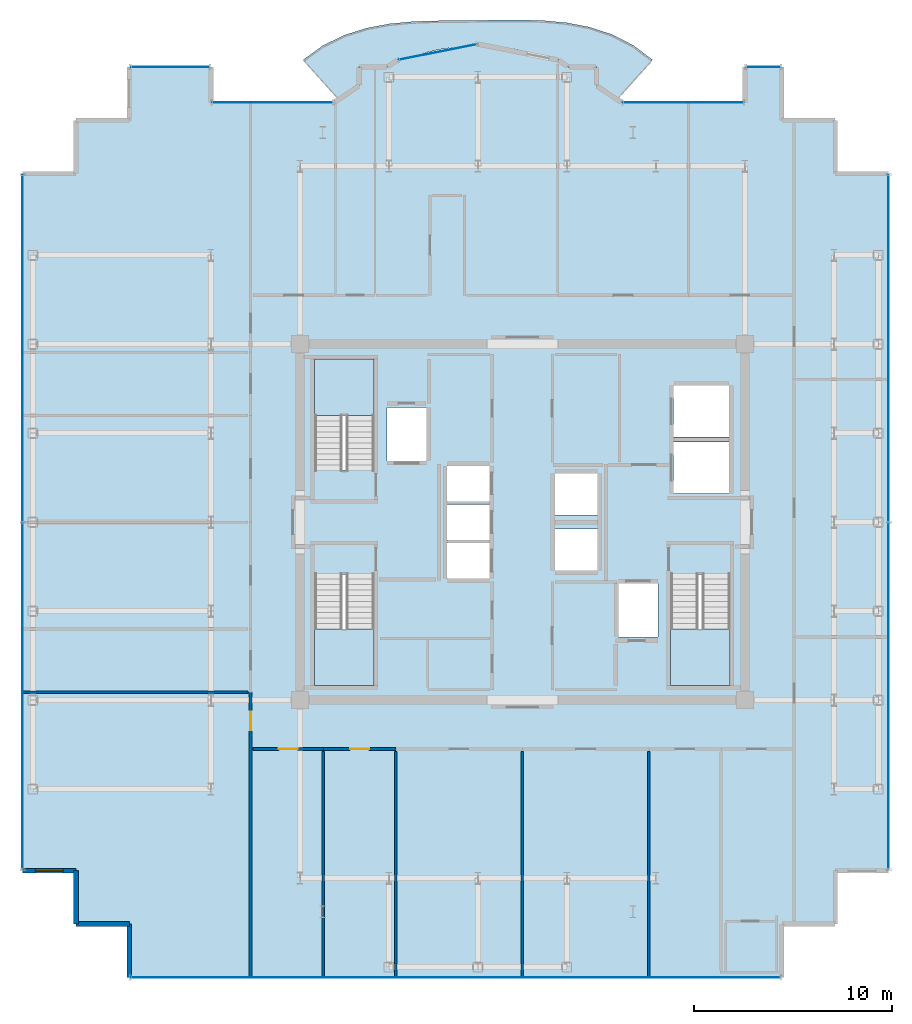
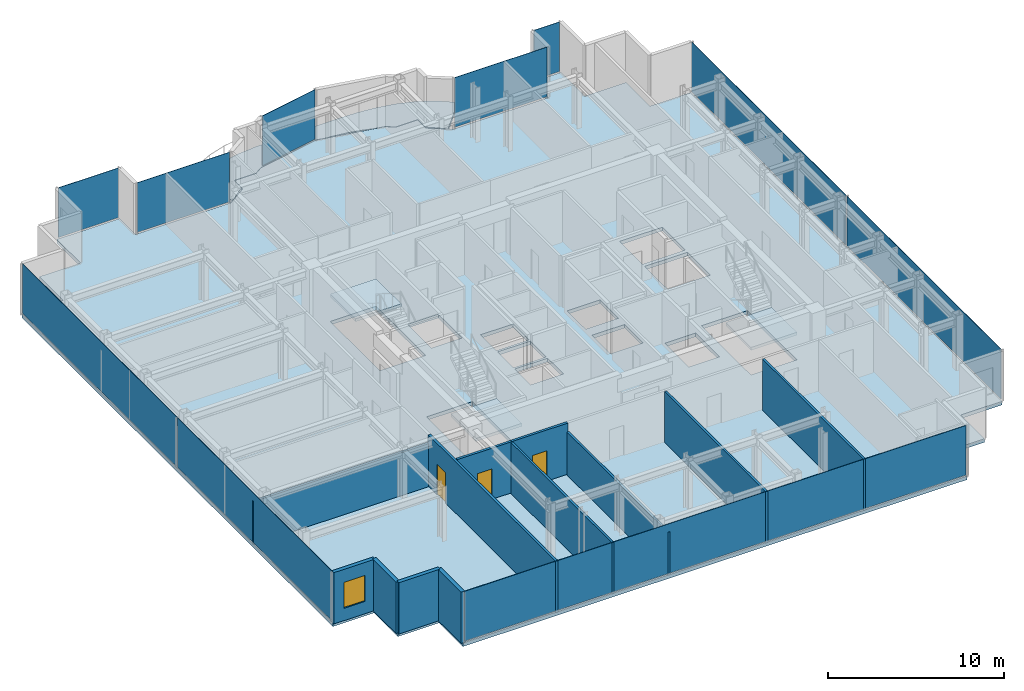
# One storey, part 12 of 18: 12 walls, 10 plates, 5 slabs, 3 doors, 1 window, 4 openings, 11 elements without a shape of their own.
"""IFC4 building model written with IfcOpenShell, lengths in metres."""

from ifc_helpers import new_model, si_unit, direction, frame, frame_2d, origin, origin_2d, place, context, subcontext, project, spatial, polyline, rectangle, outline, extrude, source, transform, mapped, material, layer, layer_set, type_object, element, fill, aggregate, save


model = new_model("IFC4")

# Units and contexts
model_context = context("Model", 3, precision=1e-05, world=origin(), true_north=direction((0.0, 1.0)))
body_context = subcontext(model_context, "Body", "Model", "MODEL_VIEW")
ifc_project = project(units=[si_unit("LENGTHUNIT", "METRE"), si_unit("AREAUNIT", "SQUARE_METRE"), si_unit("VOLUMEUNIT", "CUBIC_METRE"), si_unit("PLANEANGLEUNIT", "RADIAN"), si_unit("MASSUNIT", "GRAM", prefix="KILO")], contexts=[model_context])

# Site, building, storey
site_placement = place(None, origin())
site = spatial("IfcSite", under=ifc_project, at=site_placement, CompositionType="ELEMENT")
building_placement = place(site_placement, origin())
building = spatial("IfcBuilding", under=site, at=building_placement, Name="Nefas-Gora Pilgrimage Tower", CompositionType="ELEMENT")
storey_placement = place(building_placement, frame((0.0, 0.0, 306.39990234375)))
storey = spatial("IfcBuildingStorey", under=building, at=storey_placement, Name="L77", CompositionType="ELEMENT", Elevation=306.39990234375)

# Slabs
ifc_material_1 = material(Name="Concrete C40/50", Category="concrete")
ifc_layer_1 = layer(ifc_material_1, 0.22998046875)
ifc_layer_set_1 = layer_set([ifc_layer_1], Name="Concrete C40/50")
slab_type_1 = type_object("IfcSlabType", Name="SLB-BAL-P2", PredefinedType="FLOOR", material=ifc_layer_set_1)
slab_1_placement = place(storey_placement, frame((0.0, 0.0, -0.22998046875)))
element("IfcSlab", 1, at=slab_1_placement, inside=storey, type_object=slab_type_1, Name="L77 Sinusoidal Lobe Balcony Slab N (Phase 2)", PredefinedType="FLOOR", context=body_context, shape_type="SweptSolid", body=[
    extrude(outline(polyline([(-9.28759765625, 21.385986328125), (-9.224609375, 21.427978515625), (-8.538330078125, 21.9912109375), (-8.260009765625, 22.179931640625), (-8.260009765625, 23.02001953125), (-8.260009765625, 23.02099609375), (-8.259765625, 23.02197265625), (-8.259521484375, 23.02294921875), (-8.25927734375, 23.023681640625), (-8.2587890625, 23.024658203125), (-8.25830078125, 23.025634765625), (-8.2578125, 23.0263671875), (-8.257080078125, 23.027099609375), (-8.25634765625, 23.027587890625), (-8.255615234375, 23.0283203125), (-8.254638671875, 23.02880859375), (-8.25390625, 23.029296875), (-8.2529296875, 23.029541015625), (-8.251953125, 23.02978515625), (-8.2509765625, 23.030029296875), (-8.25, 23.030029296875), (-6.8271484375, 23.030029296875), (-6.31298828125, 23.37353515625), (-6.31201171875, 23.3740234375), (-6.311279296875, 23.37451171875), (-6.310302734375, 23.375), (-6.309326171875, 23.375), (-5.63037109375, 23.51025390625), (-5.102783203125, 23.685302734375), (-4.165283203125, 23.904052734375), (-3.211669921875, 24.035888671875), (-2.919921875, 24.04931640625), (-2.251953125, 24.18212890625), (-2.2509765625, 24.182373046875), (-2.25, 24.182373046875), (-2.2490234375, 24.182373046875), (-2.248046875, 24.18212890625), (-1.580078125, 24.04931640625), (-1.288330078125, 24.035888671875), (-0.334716796875, 23.904052734375), (0.602783203125, 23.685302734375), (1.13037109375, 23.51025390625), (1.809326171875, 23.375), (1.810302734375, 23.375), (1.811279296875, 23.37451171875), (1.81201171875, 23.3740234375), (1.81298828125, 23.37353515625), (2.3271484375, 23.030029296875), (3.75, 23.030029296875), (3.7509765625, 23.030029296875), (3.751953125, 23.02978515625), (3.7529296875, 23.029541015625), (3.75390625, 23.029296875), (3.754638671875, 23.02880859375), (3.755615234375, 23.0283203125), (3.75634765625, 23.027587890625), (3.757080078125, 23.027099609375), (3.7578125, 23.0263671875), (3.75830078125, 23.025634765625), (3.7587890625, 23.024658203125), (3.75927734375, 23.023681640625), (3.759521484375, 23.02294921875), (3.759765625, 23.02197265625), (3.760009765625, 23.02099609375), (3.760009765625, 23.02001953125), (3.760009765625, 22.179931640625), (4.038330078125, 21.9912109375), (4.724609375, 21.427978515625), (4.78759765625, 21.385986328125), (6.58251953125, 23.37939453125), (5.61669921875, 24.10498046875), (4.54248046875, 24.654296875), (3.401611328125, 25.0302734375), (2.23486328125, 25.25341796875), (1.074951171875, 25.359130859375), (-0.059326171875, 25.389404296875), (-1.16455078125, 25.3837890625), (-2.25, 25.37060546875), (-3.33349609375, 25.36181640625), (-4.43310546875, 25.349365234375), (-5.560302734375, 25.307861328125), (-6.714111328125, 25.19921875), (-7.87744140625, 24.9814453125), (-9.0205078125, 24.618408203125), (-10.102294921875, 24.085693359375), (-11.080810546875, 23.377685546875), (-9.28759765625, 21.385986328125)])), origin(), (0.0, 0.0, 1.0), 0.22998046875),
])
ifc_layer_2 = layer(ifc_material_1, 0.25)
ifc_layer_set_2 = layer_set([ifc_layer_2], Name="Concrete C40/50")
slab_type_2 = type_object("IfcSlabType", Name="SLB-TWR-260", PredefinedType="FLOOR", material=ifc_layer_set_2)
slab_2_placement = place(storey_placement, frame((0.0, 0.0, -0.25)))
element("IfcSlab", 2, at=slab_2_placement, inside=storey, type_object=slab_type_2, Name="L77 Structural Floor Slab", PredefinedType="FLOOR", context=body_context, shape_type="SweptSolid", body=[
    extrude(outline(polyline([(15.820068359375, -17.6201171875), (18.52001953125, -17.6201171875), (18.52001953125, 17.6201171875), (15.820068359375, 17.6201171875), (15.820068359375, 20.320068359375), (13.1201171875, 20.320068359375), (13.1201171875, 23.02001953125), (11.25, 23.02001953125), (11.25, 21.219970703125), (5.01806640625, 21.219970703125), (3.75, 22.0673828125), (3.75, 23.02001953125), (2.32421875, 23.02001953125), (1.807373046875, 23.365234375), (-2.25, 24.17236328125), (-6.307373046875, 23.365234375), (-6.82421875, 23.02001953125), (-8.25, 23.02001953125), (-8.25, 22.0673828125), (-9.51806640625, 21.219970703125), (-15.75, 21.219970703125), (-15.75, 23.02001953125), (-19.8701171875, 23.02001953125), (-19.8701171875, 20.320068359375), (-22.570068359375, 20.320068359375), (-22.570068359375, 17.6201171875), (-25.27001953125, 17.6201171875), (-25.27001953125, -17.6201171875), (-22.570068359375, -17.6201171875), (-22.570068359375, -20.320068359375), (-19.8701171875, -20.320068359375), (-19.8701171875, -23.02001953125), (13.1201171875, -23.02001953125), (13.1201171875, -20.320068359375), (15.820068359375, -20.320068359375), (15.820068359375, -17.6201171875)]), holes=[polyline([(-10.5, 2.639892578125), (-10.5, 8.25), (-7.5, 8.25), (-7.5, 2.639892578125), (-10.5, 2.639892578125)]), polyline([(10.5, -2.639892578125), (10.5, -8.25), (7.5, -8.25), (7.5, -2.639892578125), (10.5, -2.639892578125)]), polyline([(-7.5, -2.639892578125), (-7.5, -8.25), (-10.5, -8.25), (-10.5, -2.639892578125), (-7.5, -2.639892578125)]), polyline([(-6.85009765625, 5.800048828125), (-4.85009765625, 5.800048828125), (-4.85009765625, 3.10009765625), (-6.85009765625, 3.10009765625), (-6.85009765625, 5.800048828125)]), polyline([(4.85009765625, -3.10009765625), (6.85009765625, -3.10009765625), (6.85009765625, -5.800048828125), (4.85009765625, -5.800048828125), (4.85009765625, -3.10009765625)]), polyline([(7.64990234375, 4.050048828125), (10.449951171875, 4.050048828125), (10.449951171875, 1.449951171875), (7.64990234375, 1.449951171875), (7.64990234375, 4.050048828125)]), polyline([(7.64990234375, 6.89990234375), (10.449951171875, 6.89990234375), (10.449951171875, 4.300048828125), (7.64990234375, 4.300048828125), (7.64990234375, 6.89990234375)]), polyline([(-3.800048828125, -1.050048828125), (-1.64990234375, -1.050048828125), (-1.64990234375, -2.85009765625), (-3.800048828125, -2.85009765625), (-3.800048828125, -1.050048828125)]), polyline([(-3.800048828125, 0.89990234375), (-1.64990234375, 0.89990234375), (-1.64990234375, -0.89990234375), (-3.800048828125, -0.89990234375), (-3.800048828125, 0.89990234375)]), polyline([(-3.800048828125, 2.85009765625), (-1.64990234375, 2.85009765625), (-1.64990234375, 1.050048828125), (-3.800048828125, 1.050048828125), (-3.800048828125, 2.85009765625)]), polyline([(1.64990234375, -0.35009765625), (3.800048828125, -0.35009765625), (3.800048828125, -2.449951171875), (1.64990234375, -2.449951171875), (1.64990234375, -0.35009765625)]), polyline([(1.64990234375, 2.449951171875), (3.800048828125, 2.449951171875), (3.800048828125, 0.35009765625), (1.64990234375, 0.35009765625), (1.64990234375, 2.449951171875)])]), origin(), (0.0, 0.0, 1.0), 0.25),
])

# Stair, slab
ifc_material_2 = material(Name="Concrete C45/55", Category="concrete")
stair_type = type_object("IfcStairType", Name="STR-1400-R1727", PredefinedType="HALF_TURN_STAIR", material=ifc_material_2)
stair_1_placement = place(storey_placement, origin())
stair_1 = element("IfcStair", 3, at=stair_1_placement, inside=storey, type_object=stair_type, Name="L77 Pressurised Tower Exit Stair ST-01", PredefinedType="HALF_TURN_STAIR")
ifc_layer_3 = layer(ifc_material_1, 0.199951171875)
ifc_layer_set_3 = layer_set([ifc_layer_3], Name="Concrete C40/50")
slab_type_3 = type_object("IfcSlabType", Name="STR-LAND-200", PredefinedType="LANDING", material=ifc_layer_set_3)
slab_3_placement = place(storey_placement, frame((0.0, 0.0, 1.7001953125)))
slab_3 = element("IfcSlab", 4, at=slab_3_placement, type_object=slab_type_3, Name="ST-01 landing 1", PredefinedType="LANDING", context=body_context, shape_type="SweptSolid", body=[
    extrude(outline(polyline([(-7.5, 5.39990234375), (-7.5, 8.25), (-10.5, 8.25), (-10.5, 5.39990234375), (-7.5, 5.39990234375)])), origin(), (0.0, 0.0, 1.0), 0.199951171875),
])
aggregate(stair_1, [slab_3])

stair_2_placement = place(storey_placement, origin())
stair_2 = element("IfcStair", 5, at=stair_2_placement, inside=storey, type_object=stair_type, Name="L77 Pressurised Tower Exit Stair ST-02", PredefinedType="HALF_TURN_STAIR")
slab_4_placement = place(storey_placement, frame((0.0, 0.0, 1.7001953125)))
slab_4 = element("IfcSlab", 6, at=slab_4_placement, type_object=slab_type_3, Name="ST-02 landing 1", PredefinedType="LANDING", context=body_context, shape_type="SweptSolid", body=[
    extrude(outline(polyline([(7.5, -5.39990234375), (7.5, -8.25), (10.5, -8.25), (10.5, -5.39990234375), (7.5, -5.39990234375)])), origin(), (0.0, 0.0, 1.0), 0.199951171875),
])
aggregate(stair_2, [slab_4])

stair_3_placement = place(storey_placement, origin())
stair_3 = element("IfcStair", 7, at=stair_3_placement, inside=storey, type_object=stair_type, Name="L77 Pressurised Tower Exit Stair ST-03", PredefinedType="HALF_TURN_STAIR")
slab_5_placement = place(storey_placement, frame((0.0, 0.0, 1.7001953125)))
slab_5 = element("IfcSlab", 8, at=slab_5_placement, type_object=slab_type_3, Name="ST-03 landing 1", PredefinedType="LANDING", context=body_context, shape_type="SweptSolid", body=[
    extrude(outline(polyline([(-10.5, -5.39990234375), (-10.5, -8.25), (-7.5, -8.25), (-7.5, -5.39990234375), (-10.5, -5.39990234375)])), origin(), (0.0, 0.0, 1.0), 0.199951171875),
])
aggregate(stair_3, [slab_5])

# Curtain wall, plate
ifc_material_3 = material(Name="Dark ceramic-fritted solar-control aluminium-glass curtain wall", Category="aluminium")
ifc_layer_4 = layer(ifc_material_3, 0.219970703125)
ifc_layer_set_4 = layer_set([ifc_layer_4], Name="Dark ceramic-fritted solar-control aluminium-glass curtain wall")
curtain_wall_type_1 = type_object("IfcCurtainWallType", Name="CW-SYS-5", PredefinedType="NOTDEFINED", material=ifc_layer_set_4)
curtain_wall_1_placement = place(storey_placement, origin())
curtain_wall_1 = element("IfcCurtainWall", 9, at=curtain_wall_1_placement, inside=storey, type_object=curtain_wall_type_1, Name="L77 Unitised Curtain Wall CW5", PredefinedType="NOTDEFINED")
ifc_material_4 = material(Name="Dark ceramic-printed low-e insulated glass", Category="glass")
ifc_layer_5 = layer(ifc_material_4, 0.028076171875)
ifc_layer_set_5 = layer_set([ifc_layer_5], Name="Dark ceramic-printed low-e insulated glass")
plate_type_1 = type_object("IfcPlateType", Name="CWP-PNL-5", PredefinedType="CURTAIN_PANEL", material=ifc_layer_set_5)
shared_shape_1 = source(origin(), body_context, "Body", "SweptSolid", [
    extrude(rectangle(XDim=6.052001953125, YDim=0.028076171875, at=origin_2d()), origin(), (0.0, 0.0, 1.0), 3.43994140625),
])
plate_1_placement = place(storey_placement, frame((8.134033203125, 21.219970703125, 0.10009765625), z_axis=(0.0, 0.0, 1.0), x_axis=(-1.0, 0.0, 0.0)))
plate_1 = element("IfcPlate", 10, at=plate_1_placement, type_object=plate_type_1, Name="CW5 Ceramic-Fritted Glazing Panel 1", PredefinedType="CURTAIN_PANEL", context=body_context, shape_type="MappedRepresentation", body=[
    mapped(shared_shape_1, transform((0.0, 0.0, 0.0), x_axis=(1.0, 0.0, 0.0), y_axis=(0.0, 1.0, 0.0), z_axis=(0.0, 0.0, 1.0), scale=1.0)),
])
aggregate(curtain_wall_1, [plate_1])

curtain_wall_2_placement = place(storey_placement, origin())
curtain_wall_2 = element("IfcCurtainWall", 11, at=curtain_wall_2_placement, inside=storey, type_object=curtain_wall_type_1, Name="L77 Unitised Curtain Wall CW5", PredefinedType="NOTDEFINED")
plate_2_placement = place(storey_placement, frame((-12.634033203125, 21.219970703125, 0.10009765625), z_axis=(0.0, 0.0, 1.0), x_axis=(-1.0, 0.0, 0.0)))
plate_2 = element("IfcPlate", 12, at=plate_2_placement, type_object=plate_type_1, Name="CW5 Ceramic-Fritted Glazing Panel 1", PredefinedType="CURTAIN_PANEL", context=body_context, shape_type="MappedRepresentation", body=[
    mapped(shared_shape_1, transform((0.0, 0.0, 0.0), x_axis=(1.0, 0.0, 0.0), y_axis=(0.0, 1.0, 0.0), z_axis=(0.0, 0.0, 1.0), scale=1.0)),
])
aggregate(curtain_wall_2, [plate_2])

curtain_wall_3_placement = place(storey_placement, origin())
curtain_wall_3 = element("IfcCurtainWall", 13, at=curtain_wall_3_placement, inside=storey, type_object=curtain_wall_type_1, Name="L77 Unitised Curtain Wall CW5", PredefinedType="NOTDEFINED")
shared_shape_2 = source(origin(), body_context, "Body", "SweptSolid", [
    extrude(rectangle(XDim=3.956787109375, YDim=0.028076171875, at=origin_2d()), origin(), (0.0, 0.0, 1.0), 3.43994140625),
])
plate_3_placement = place(storey_placement, frame((-4.278564453125, 23.768798828125, 0.10009765625), z_axis=(0.0, 0.0, 1.0), x_axis=(-0.980782896852, -0.195102304554, 0.0)))
plate_3 = element("IfcPlate", 14, at=plate_3_placement, type_object=plate_type_1, Name="CW5 Ceramic-Fritted Glazing Panel 1", PredefinedType="CURTAIN_PANEL", context=body_context, shape_type="MappedRepresentation", body=[
    mapped(shared_shape_2, transform((0.0, 0.0, 0.0), x_axis=(1.0, 0.0, 0.0), y_axis=(0.0, 1.0, 0.0), z_axis=(0.0, 0.0, 1.0), scale=1.0)),
])
aggregate(curtain_wall_3, [plate_3])

ifc_layer_6 = layer(ifc_material_3, 0.219970703125)
ifc_layer_set_6 = layer_set([ifc_layer_6], Name="Dark ceramic-fritted solar-control aluminium-glass curtain wall")
curtain_wall_type_2 = type_object("IfcCurtainWallType", Name="CW-SYS-4", PredefinedType="NOTDEFINED", material=ifc_layer_set_6)
curtain_wall_4_placement = place(storey_placement, origin())
curtain_wall_4 = element("IfcCurtainWall", 15, at=curtain_wall_4_placement, inside=storey, type_object=curtain_wall_type_2, Name="L77 Unitised Curtain Wall CW4", PredefinedType="NOTDEFINED")
ifc_layer_7 = layer(ifc_material_4, 0.030029296875)
ifc_layer_set_7 = layer_set([ifc_layer_7], Name="Dark ceramic-printed low-e insulated glass")
plate_type_2 = type_object("IfcPlateType", Name="CWP-PNL-4", PredefinedType="CURTAIN_PANEL", material=ifc_layer_set_7)
shared_shape_3 = source(origin(), body_context, "Body", "SweptSolid", [
    extrude(rectangle(XDim=1.68994140625, YDim=0.030029296875, at=origin_2d()), origin(), (0.0, 0.0, 1.0), 3.43994140625),
])
plate_4_placement = place(storey_placement, frame((12.18505859375, 23.02001953125, 0.10009765625), z_axis=(0.0, 0.0, 1.0), x_axis=(-1.0, 0.0, 0.0)))
plate_4 = element("IfcPlate", 16, at=plate_4_placement, type_object=plate_type_2, Name="CW4 Ceramic-Fritted Glazing Panel 1", PredefinedType="CURTAIN_PANEL", context=body_context, shape_type="MappedRepresentation", body=[
    mapped(shared_shape_3, transform((0.0, 0.0, 0.0), x_axis=(1.0, 0.0, 0.0), y_axis=(0.0, 1.0, 0.0), z_axis=(0.0, 0.0, 1.0), scale=1.0)),
])
aggregate(curtain_wall_4, [plate_4])

curtain_wall_5_placement = place(storey_placement, origin())
curtain_wall_5 = element("IfcCurtainWall", 17, at=curtain_wall_5_placement, inside=storey, type_object=curtain_wall_type_2, Name="L77 Unitised Curtain Wall CW4", PredefinedType="NOTDEFINED")
shared_shape_4 = source(origin(), body_context, "Body", "SweptSolid", [
    extrude(rectangle(XDim=3.93994140625, YDim=0.030029296875, at=origin_2d()), origin(), (0.0, 0.0, 1.0), 3.43994140625),
])
plate_5_placement = place(storey_placement, frame((-17.81005859375, 23.02001953125, 0.10009765625), z_axis=(0.0, 0.0, 1.0), x_axis=(-1.0, 0.0, 0.0)))
plate_5 = element("IfcPlate", 18, at=plate_5_placement, type_object=plate_type_2, Name="CW4 Ceramic-Fritted Glazing Panel 1", PredefinedType="CURTAIN_PANEL", context=body_context, shape_type="MappedRepresentation", body=[
    mapped(shared_shape_4, transform((0.0, 0.0, 0.0), x_axis=(1.0, 0.0, 0.0), y_axis=(0.0, 1.0, 0.0), z_axis=(0.0, 0.0, 1.0), scale=1.0)),
])
aggregate(curtain_wall_5, [plate_5])

curtain_wall_6_placement = place(storey_placement, origin())
curtain_wall_6 = element("IfcCurtainWall", 19, at=curtain_wall_6_placement, inside=storey, type_object=curtain_wall_type_2, Name="L77 Unitised Curtain Wall CW4", PredefinedType="NOTDEFINED")
shared_shape_5 = source(origin(), body_context, "Body", "SweptSolid", [
    extrude(rectangle(XDim=32.81005859375, YDim=0.030029296875, at=origin_2d()), origin(), (0.0, 0.0, 1.0), 3.43994140625),
])
plate_6_placement = place(storey_placement, frame((-3.375, -23.02001953125, 0.10009765625), z_axis=(0.0, 0.0, 1.0), x_axis=(1.0, 0.0, 0.0)))
plate_6 = element("IfcPlate", 20, at=plate_6_placement, type_object=plate_type_2, Name="CW4 Ceramic-Fritted Glazing Panel 1", PredefinedType="CURTAIN_PANEL", context=body_context, shape_type="MappedRepresentation", body=[
    mapped(shared_shape_5, transform((0.0, 0.0, 0.0), x_axis=(1.0, 0.0, 0.0), y_axis=(0.0, 1.0, 0.0), z_axis=(0.0, 0.0, 1.0), scale=1.0)),
])
aggregate(curtain_wall_6, [plate_6])

# Curtain wall, plates
curtain_wall_7_placement = place(storey_placement, origin())
curtain_wall_7 = element("IfcCurtainWall", 21, at=curtain_wall_7_placement, inside=storey, type_object=curtain_wall_type_2, Name="L77 Unitised Curtain Wall CW4", PredefinedType="NOTDEFINED")
shared_shape_6 = source(origin(), body_context, "Body", "SweptSolid", [
    extrude(rectangle(XDim=17.485107421875, YDim=0.030029296875, at=origin_2d()), origin(), (0.0, 0.0, 1.0), 3.43994140625),
])
plate_7_placement = place(storey_placement, frame((18.52001953125, -8.78759765625, 0.10009765625), z_axis=(0.0, 0.0, 1.0), x_axis=(0.0, 1.0, 0.0)))
plate_7 = element("IfcPlate", 22, at=plate_7_placement, type_object=plate_type_2, Name="CW4 Ceramic-Fritted Glazing Panel 1", PredefinedType="CURTAIN_PANEL", context=body_context, shape_type="MappedRepresentation", body=[
    mapped(shared_shape_6, transform((0.0, 0.0, 0.0), x_axis=(1.0, 0.0, 0.0), y_axis=(0.0, 1.0, 0.0), z_axis=(0.0, 0.0, 1.0), scale=1.0)),
])
plate_8_placement = place(storey_placement, frame((18.52001953125, 8.78759765625, 0.10009765625), z_axis=(0.0, 0.0, 1.0), x_axis=(0.0, 1.0, 0.0)))
plate_8 = element("IfcPlate", 23, at=plate_8_placement, type_object=plate_type_2, Name="CW4 Ceramic-Fritted Glazing Panel 2", PredefinedType="CURTAIN_PANEL", context=body_context, shape_type="MappedRepresentation", body=[
    mapped(shared_shape_6, transform((0.0, 0.0, 0.0), x_axis=(1.0, 0.0, 0.0), y_axis=(0.0, 1.0, 0.0), z_axis=(0.0, 0.0, 1.0), scale=1.0)),
])
aggregate(curtain_wall_7, [plate_7, plate_8])

curtain_wall_8_placement = place(storey_placement, origin())
curtain_wall_8 = element("IfcCurtainWall", 24, at=curtain_wall_8_placement, inside=storey, type_object=curtain_wall_type_2, Name="L77 Unitised Curtain Wall CW4", PredefinedType="NOTDEFINED")
plate_9_placement = place(storey_placement, frame((-25.27001953125, 8.78759765625, 0.10009765625), z_axis=(0.0, 0.0, 1.0), x_axis=(0.0, -1.0, 0.0)))
plate_9 = element("IfcPlate", 25, at=plate_9_placement, type_object=plate_type_2, Name="CW4 Ceramic-Fritted Glazing Panel 1", PredefinedType="CURTAIN_PANEL", context=body_context, shape_type="MappedRepresentation", body=[
    mapped(shared_shape_6, transform((0.0, 0.0, 0.0), x_axis=(1.0, 0.0, 0.0), y_axis=(0.0, 1.0, 0.0), z_axis=(0.0, 0.0, 1.0), scale=1.0)),
])
plate_10_placement = place(storey_placement, frame((-25.27001953125, -8.78759765625, 0.10009765625), z_axis=(0.0, 0.0, 1.0), x_axis=(0.0, -1.0, 0.0)))
plate_10 = element("IfcPlate", 26, at=plate_10_placement, type_object=plate_type_2, Name="CW4 Ceramic-Fritted Glazing Panel 2", PredefinedType="CURTAIN_PANEL", context=body_context, shape_type="MappedRepresentation", body=[
    mapped(shared_shape_6, transform((0.0, 0.0, 0.0), x_axis=(1.0, 0.0, 0.0), y_axis=(0.0, 1.0, 0.0), z_axis=(0.0, 0.0, 1.0), scale=1.0)),
])
aggregate(curtain_wall_8, [plate_9, plate_10])

# Wall, opening, window
ifc_material_5 = material(Name="Precast concrete C45/55", Category="concrete")
ifc_layer_8 = layer(ifc_material_5, 0.239990234375)
ifc_layer_set_8 = layer_set([ifc_layer_8], Name="Precast concrete C45/55")
wall_type_1 = type_object("IfcWallType", Name="EW-SERR-240", PredefinedType="SHEAR", material=ifc_layer_set_8)
shared_shape_7 = source(origin(), body_context, "Body", "SweptSolid", [
    extrude(rectangle(XDim=2.699951171875, YDim=0.239990234375, at=frame_2d((1.35009765625, 0.0))), origin(), (0.0, 0.0, 1.0), 3.550048828125),
])
wall_1_placement = place(storey_placement, frame((-25.27001953125, -17.6201171875, 0.0), z_axis=(0.0, 0.0, 1.0), x_axis=(1.0, 0.0, 0.0)))
wall_1 = element("IfcWall", 27, at=wall_1_placement, inside=storey, type_object=wall_type_1, Name="L77 Serrated Corner Shear Pier Wall 21", PredefinedType="SHEAR", context=body_context, shape_type="MappedRepresentation", body=[
    mapped(shared_shape_7, transform((0.0, 0.0, 0.0), x_axis=(1.0, 0.0, 0.0), y_axis=(0.0, 1.0, 0.0), z_axis=(0.0, 0.0, 1.0), scale=1.0)),
])
opening_1_placement = place(wall_1_placement, frame((0.64990234375, 0.0, 0.85009765625)))
opening_1 = element("IfcOpeningElement", 28, at=opening_1_placement, cuts=wall_1, Name="Opening W-V2", PredefinedType="OPENING", context=body_context, shape_type="SweptSolid", body=[
    extrude(rectangle(XDim=1.39990234375, YDim=1.800048828125, at=frame_2d((0.699951171875, 0.89990234375))), frame((0.0, 0.1298828125, 0.0), z_axis=(0.0, -1.0, 0.0), x_axis=(1.0, 0.0, 0.0)), (0.0, 0.0, 1.0), 0.260009765625),
])
ifc_material_6 = material(Name="Dark ceramic-fritted operable aluminium-glass window", Category="aluminium")
window_type = type_object("IfcWindowType", Name="WIN-VENT-1400x1800", PartitioningType="SINGLE_PANEL", PredefinedType="WINDOW", material=ifc_material_6)
shared_shape_8 = source(origin(), body_context, "Body", "SweptSolid", [
    extrude(rectangle(XDim=1.39990234375, YDim=1.800048828125, at=frame_2d((0.699951171875, 0.89990234375))), frame((0.0, 0.030029296875, 0.0), z_axis=(0.0, -1.0, 0.0), x_axis=(1.0, 0.0, 0.0)), (0.0, 0.0, 1.0), 0.06005859375),
])
window_placement = place(opening_1_placement, origin())
window = element("IfcWindow", 29, at=window_placement, inside=storey, type_object=window_type, Name="L77 Operable Parallel-Outswing Window 21", OverallHeight=1.800048828125, OverallWidth=1.39990234375, PartitioningType="SINGLE_PANEL", PredefinedType="WINDOW", context=body_context, shape_type="MappedRepresentation", body=[
    mapped(shared_shape_8, transform((0.0, 0.0, 0.0), x_axis=(1.0, 0.0, 0.0), y_axis=(0.0, 1.0, 0.0), z_axis=(0.0, 0.0, 1.0), scale=1.0)),
])
fill(opening_1, window)

# Walls
for number, where, z_axis, x_axis, name in (
    (30, (-22.570068359375, -17.6201171875, 0.0), (0.0, 0.0, 1.0), (0.0, -1.0, 0.0), "L77 Serrated Corner Shear Pier Wall 22"),
    (31, (-22.570068359375, -20.320068359375, 0.0), (0.0, 0.0, 1.0), (1.0, 0.0, 0.0), "L77 Serrated Corner Shear Pier Wall 23"),
    (32, (-19.8701171875, -20.320068359375, 0.0), (0.0, 0.0, 1.0), (0.0, -1.0, 0.0), "L77 Serrated Corner Shear Pier Wall 24"),
):
    element("IfcWall", number, at=place(storey_placement, frame(where, z_axis=z_axis, x_axis=x_axis)), inside=storey, type_object=wall_type_1, Name=name, PredefinedType="SHEAR", context=body_context, shape_type="MappedRepresentation", body=[
        mapped(shared_shape_7, transform((0.0, 0.0, 0.0), x_axis=(1.0, 0.0, 0.0), y_axis=(0.0, 1.0, 0.0), z_axis=(0.0, 0.0, 1.0), scale=1.0)),
    ])

# Wall, opening, door
ifc_material_7 = material(Name="Gypsum acoustic stud partition")
ifc_layer_9 = layer(ifc_material_7, 0.159912109375)
ifc_layer_set_9 = layer_set([ifc_layer_9], Name="Gypsum acoustic stud partition")
wall_type_2 = type_object("IfcWallType", Name="IW-CORR-160", PredefinedType="PARTITIONING", material=ifc_layer_set_9)
shared_shape_9 = source(origin(), body_context, "Body", "SweptSolid", [
    extrude(rectangle(XDim=3.6650390625, YDim=0.159912109375, at=frame_2d((1.83251953125, 0.0))), origin(), (0.0, 0.0, 1.0), 3.53515625),
])
wall_2_placement = place(storey_placement, frame((-10.06005859375, -11.469970703125, 0.0), z_axis=(0.0, 0.0, 1.0), x_axis=(1.0, 0.0, 0.0)))
wall_2 = element("IfcWall", 33, at=wall_2_placement, inside=storey, type_object=wall_type_2, Name="L77 Pilgrim Contemplative Lounge Partition Wall 65", PredefinedType="PARTITIONING", context=body_context, shape_type="MappedRepresentation", body=[
    mapped(shared_shape_9, transform((0.0, 0.0, 0.0), x_axis=(1.0, 0.0, 0.0), y_axis=(0.0, 1.0, 0.0), z_axis=(0.0, 0.0, 1.0), scale=1.0)),
])
opening_2_placement = place(wall_2_placement, frame((1.357421875, 0.0, 0.0)))
opening_2 = element("IfcOpeningElement", 34, at=opening_2_placement, cuts=wall_2, Name="Opening ID-GR1", PredefinedType="OPENING", context=body_context, shape_type="SweptSolid", body=[
    extrude(rectangle(XDim=0.949951171875, YDim=2.10009765625, at=frame_2d((0.47509765625, 1.050048828125))), frame((0.0, 0.08984375, 0.0), z_axis=(0.0, -1.0, 0.0), x_axis=(1.0, 0.0, 0.0)), (0.0, 0.0, 1.0), 0.179931640625),
])
ifc_material_8 = material(Name="Solid core oak fire-rated guest entrance door")
door_type = type_object("IfcDoorType", Name="DR-INT-GUEST-950", OperationType="NOTDEFINED", PredefinedType="DOOR", material=ifc_material_8)
shared_shape_10 = source(origin(), body_context, "Body", "SweptSolid", [
    extrude(rectangle(XDim=0.949951171875, YDim=2.10009765625, at=frame_2d((0.47509765625, 1.050048828125))), frame((0.0, 0.02490234375, 0.0), z_axis=(0.0, -1.0, 0.0), x_axis=(1.0, 0.0, 0.0)), (0.0, 0.0, 1.0), 0.050048828125),
])
door_1_placement = place(opening_2_placement, origin())
door_1 = element("IfcDoor", 35, at=door_1_placement, inside=storey, type_object=door_type, Name="L77 Pilgrim Contemplative Lounge Door 29", OperationType="SINGLE_SWING_LEFT", OverallHeight=2.10009765625, OverallWidth=0.949951171875, PredefinedType="DOOR", context=body_context, shape_type="MappedRepresentation", body=[
    mapped(shared_shape_10, transform((0.0, 0.0, 0.0), x_axis=(1.0, 0.0, 0.0), y_axis=(0.0, 1.0, 0.0), z_axis=(0.0, 0.0, 1.0), scale=1.0)),
])
fill(opening_2, door_1)

shared_shape_11 = source(origin(), body_context, "Body", "SweptSolid", [
    extrude(rectangle(XDim=3.56005859375, YDim=0.159912109375, at=frame_2d((1.780029296875, 0.0))), origin(), (0.0, 0.0, 1.0), 3.53515625),
])
wall_3_placement = place(storey_placement, frame((-13.6201171875, -11.469970703125, 0.0), z_axis=(0.0, 0.0, 1.0), x_axis=(1.0, 0.0, 0.0)))
wall_3 = element("IfcWall", 36, at=wall_3_placement, inside=storey, type_object=wall_type_2, Name="L77 Pilgrim Contemplative Lounge Partition Wall 63", PredefinedType="PARTITIONING", context=body_context, shape_type="MappedRepresentation", body=[
    mapped(shared_shape_11, transform((0.0, 0.0, 0.0), x_axis=(1.0, 0.0, 0.0), y_axis=(0.0, 1.0, 0.0), z_axis=(0.0, 0.0, 1.0), scale=1.0)),
])
opening_3_placement = place(wall_3_placement, frame((1.304931640625, 0.0, 0.0)))
opening_3 = element("IfcOpeningElement", 37, at=opening_3_placement, cuts=wall_3, Name="Opening ID-GR1", PredefinedType="OPENING", context=body_context, shape_type="SweptSolid", body=[
    extrude(rectangle(XDim=0.949951171875, YDim=2.10009765625, at=frame_2d((0.47509765625, 1.050048828125))), frame((0.0, 0.08984375, 0.0), z_axis=(0.0, -1.0, 0.0), x_axis=(1.0, 0.0, 0.0)), (0.0, 0.0, 1.0), 0.179931640625),
])
door_2_placement = place(opening_3_placement, origin())
door_2 = element("IfcDoor", 38, at=door_2_placement, inside=storey, type_object=door_type, Name="L77 Pilgrim Contemplative Lounge Door 28", OperationType="SINGLE_SWING_RIGHT", OverallHeight=2.10009765625, OverallWidth=0.949951171875, PredefinedType="DOOR", context=body_context, shape_type="MappedRepresentation", body=[
    mapped(shared_shape_10, transform((0.0, 0.0, 0.0), x_axis=(1.0, 0.0, 0.0), y_axis=(0.0, 1.0, 0.0), z_axis=(0.0, 0.0, 1.0), scale=1.0)),
])
fill(opening_3, door_2)

shared_shape_12 = source(origin(), body_context, "Body", "SweptSolid", [
    extrude(rectangle(XDim=14.445068359375, YDim=0.159912109375, at=frame_2d((7.22265625, 0.0))), origin(), (0.0, 0.0, 1.0), 3.53515625),
])
wall_4_placement = place(storey_placement, frame((-13.739990234375, -23.0400390625, 0.0), z_axis=(0.0, 0.0, 1.0), x_axis=(0.0, 1.0, 0.0)))
wall_4 = element("IfcWall", 39, at=wall_4_placement, inside=storey, type_object=wall_type_2, Name="L77 Pilgrim Floor Concierge Foyer Partition Wall 37", PredefinedType="PARTITIONING", context=body_context, shape_type="MappedRepresentation", body=[
    mapped(shared_shape_12, transform((0.0, 0.0, 0.0), x_axis=(1.0, 0.0, 0.0), y_axis=(0.0, 1.0, 0.0), z_axis=(0.0, 0.0, 1.0), scale=1.0)),
])
opening_4_placement = place(wall_4_placement, frame((12.512451171875, 0.0, 0.0)))
opening_4 = element("IfcOpeningElement", 40, at=opening_4_placement, cuts=wall_4, Name="Opening ID-GR1", PredefinedType="OPENING", context=body_context, shape_type="SweptSolid", body=[
    extrude(rectangle(XDim=0.949951171875, YDim=2.10009765625, at=frame_2d((0.47509765625, 1.050048828125))), frame((0.0, 0.08984375, 0.0), z_axis=(0.0, -1.0, 0.0), x_axis=(1.0, 0.0, 0.0)), (0.0, 0.0, 1.0), 0.179931640625),
])
door_3_placement = place(opening_4_placement, origin())
door_3 = element("IfcDoor", 41, at=door_3_placement, inside=storey, type_object=door_type, Name="L77 Pilgrim Floor Concierge Foyer Door 15", OperationType="SINGLE_SWING_LEFT", OverallHeight=2.10009765625, OverallWidth=0.949951171875, PredefinedType="DOOR", context=body_context, shape_type="MappedRepresentation", body=[
    mapped(shared_shape_10, transform((0.0, 0.0, 0.0), x_axis=(1.0, 0.0, 0.0), y_axis=(0.0, 1.0, 0.0), z_axis=(0.0, 0.0, 1.0), scale=1.0)),
])
fill(opening_4, door_3)

# Walls
ifc_material_9 = material(Name="Gypsum twin-stud partition")
ifc_layer_10 = layer(ifc_material_9, 0.139892578125)
ifc_layer_set_10 = layer_set([ifc_layer_10], Name="Gypsum twin-stud partition")
wall_type_3 = type_object("IfcWallType", Name="IW-UNIT-140", PredefinedType="PARTITIONING", material=ifc_layer_set_10)
shared_shape_13 = source(origin(), body_context, "Body", "SweptSolid", [
    extrude(rectangle(XDim=11.449951171875, YDim=0.139892578125, at=frame_2d((5.72509765625, 0.0))), origin(), (0.0, 0.0, 1.0), 3.53515625),
])
for number, where, z_axis, x_axis, name in (
    (42, (-10.070068359375, -23.0400390625, 0.0), (0.0, 0.0, 1.0), (0.0, 1.0, 0.0), "L77 Pilgrim Contemplative Lounge Partition Wall 64"),
    (43, (-0.010009765625, -23.0400390625, 0.0), (0.0, 0.0, 1.0), (0.0, 1.0, 0.0), "L77 Pilgrim Contemplative Lounge Partition Wall 68"),
    (44, (6.39501953125, -23.0400390625, 0.0), (0.0, 0.0, 1.0), (0.0, 1.0, 0.0), "L77 Pilgrim Contemplative Lounge Partition Wall 70"),
):
    element("IfcWall", number, at=place(storey_placement, frame(where, z_axis=z_axis, x_axis=x_axis)), inside=storey, type_object=wall_type_3, Name=name, PredefinedType="PARTITIONING", context=body_context, shape_type="MappedRepresentation", body=[
        mapped(shared_shape_13, transform((0.0, 0.0, 0.0), x_axis=(1.0, 0.0, 0.0), y_axis=(0.0, 1.0, 0.0), z_axis=(0.0, 0.0, 1.0), scale=1.0)),
    ])
shared_shape_14 = source(origin(), body_context, "Body", "SweptSolid", [
    extrude(rectangle(XDim=11.429931640625, YDim=0.139892578125, at=frame_2d((5.71484375, 0.0))), origin(), (0.0, 0.0, 1.0), 2.97509765625),
])
wall_5_placement = place(storey_placement, frame((-25.2900390625, -8.60498046875, 0.0), z_axis=(0.0, 0.0, 1.0), x_axis=(1.0, 0.0, 0.0)))
element("IfcWall", 45, at=wall_5_placement, inside=storey, type_object=wall_type_3, Name="L77 Pilgrim Floor Concierge Foyer Partition Wall 38", PredefinedType="PARTITIONING", context=body_context, shape_type="MappedRepresentation", body=[
    mapped(shared_shape_14, transform((0.0, 0.0, 0.0), x_axis=(1.0, 0.0, 0.0), y_axis=(0.0, 1.0, 0.0), z_axis=(0.0, 0.0, 1.0), scale=1.0)),
])
shared_shape_15 = source(origin(), body_context, "Body", "SweptSolid", [
    extrude(rectangle(XDim=11.449951171875, YDim=0.139892578125, at=frame_2d((5.72509765625, 0.0))), origin(), (0.0, 0.0, 1.0), 2.97509765625),
])
wall_6_placement = place(storey_placement, frame((-6.405029296875, -23.0400390625, 0.0), z_axis=(0.0, 0.0, 1.0), x_axis=(0.0, 1.0, 0.0)))
element("IfcWall", 46, at=wall_6_placement, inside=storey, type_object=wall_type_3, Name="L77 Pilgrim Contemplative Lounge Partition Wall 66", PredefinedType="PARTITIONING", context=body_context, shape_type="MappedRepresentation", body=[
    mapped(shared_shape_15, transform((0.0, 0.0, 0.0), x_axis=(1.0, 0.0, 0.0), y_axis=(0.0, 1.0, 0.0), z_axis=(0.0, 0.0, 1.0), scale=1.0)),
])

save(model, "model.ifc")
